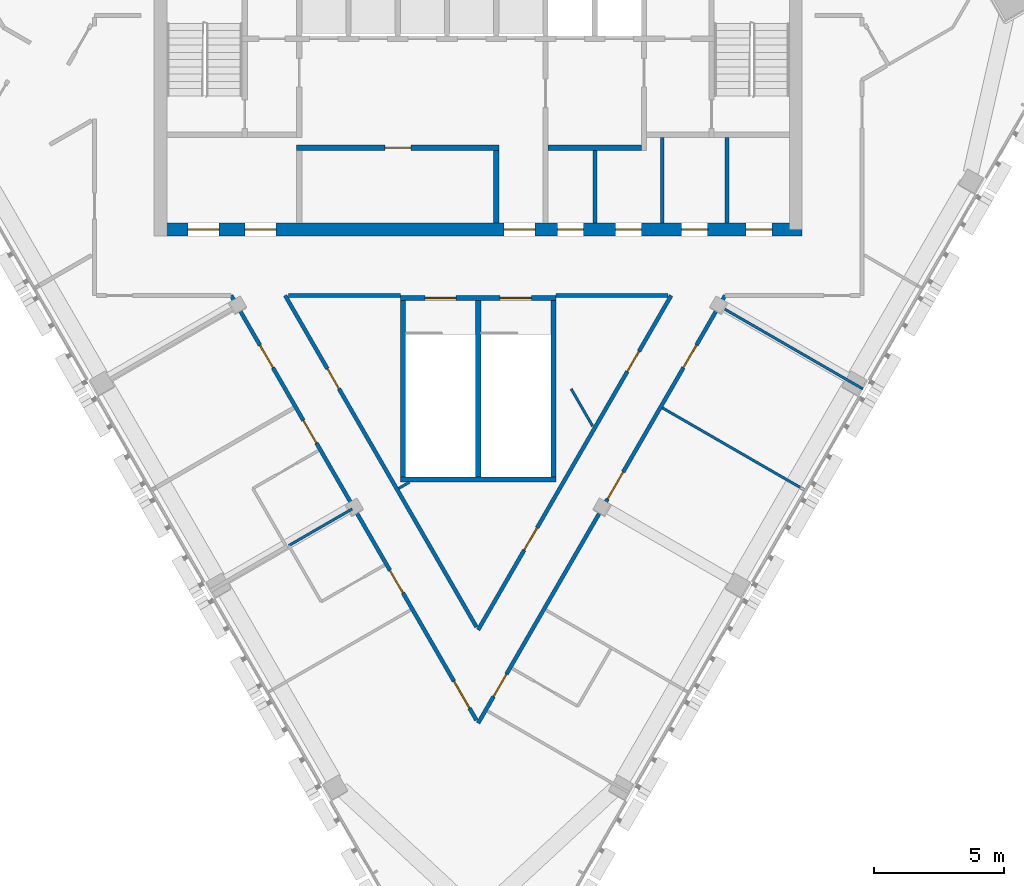
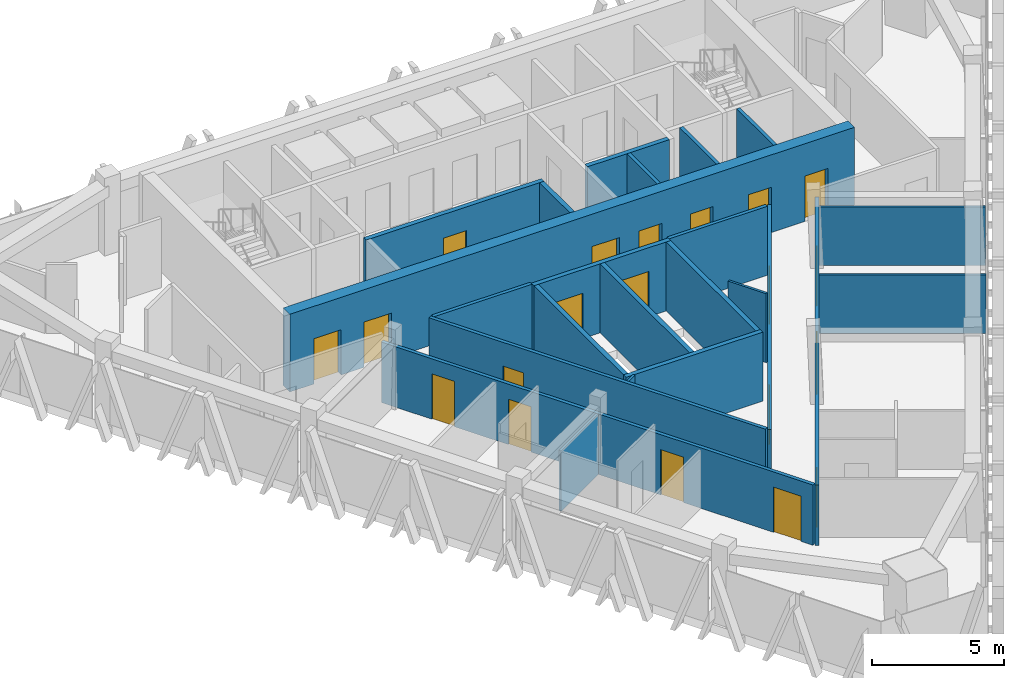
# One storey, part 8 of 12: 23 walls, 20 doors, 20 openings.
"""IFC4 building model written with IfcOpenShell, lengths in metres."""

from ifc_helpers import new_model, si_unit, direction, frame, frame_2d, origin, place, context, subcontext, project, spatial, rectangle, extrude, material, layer, layer_set, type_object, element, fill, save


model = new_model("IFC4")

# Units and contexts
model_context = context("Model", 3, precision=1e-05, world=origin(), true_north=direction((0.0, 1.0)))
body_context = subcontext(model_context, "Body", "Model", "MODEL_VIEW")
ifc_project = project(units=[si_unit("LENGTHUNIT", "METRE"), si_unit("AREAUNIT", "SQUARE_METRE"), si_unit("VOLUMEUNIT", "CUBIC_METRE"), si_unit("PLANEANGLEUNIT", "RADIAN"), si_unit("MASSUNIT", "GRAM", prefix="KILO")], contexts=[model_context])

# Site, building, storey
site_placement = place(None, origin())
site = spatial("IfcSite", under=ifc_project, at=site_placement, CompositionType="ELEMENT")
building_placement = place(site_placement, origin())
building = spatial("IfcBuilding", under=site, at=building_placement, Name="Altiplano Prism Tower", CompositionType="ELEMENT")
storey_placement = place(building_placement, frame((0.0, 0.0, 275.199951171875)))
storey = spatial("IfcBuildingStorey", under=building, at=storey_placement, Name="L71", CompositionType="ELEMENT", Elevation=275.199951171875)

# Wall, openings, doors
ifc_material_1 = material(Name="Concrete C60/75", Category="concrete")
ifc_layer_1 = layer(ifc_material_1, 0.5)
ifc_layer_set_1 = layer_set([ifc_layer_1], Name="Concrete C60/75")
wall_type_1 = type_object("IfcWallType", Name="Core wall 500", PredefinedType="SHEAR", material=ifc_layer_set_1)
wall_1_placement = place(storey_placement, frame((72.75, 93.14990234375, 0.0), z_axis=(0.0, 0.0, 1.0), x_axis=(1.0, 0.0, 0.0)))
wall_1 = element("IfcWall", 1, at=wall_1_placement, inside=storey, type_object=wall_type_1, Name="Core wall S L71", PredefinedType="SHEAR", context=body_context, shape_type="SweptSolid", body=[
    extrude(rectangle(XDim=24.75, YDim=0.5, at=frame_2d((12.375, 0.0))), origin(), (0.0, 0.0, 1.0), 3.60009765625),
])
opening_1_placement = place(wall_1_placement, frame((1.050048828125, 0.0, 0.0)))
opening_1 = element("IfcOpeningElement", 2, at=opening_1_placement, cuts=wall_1, Name="Opening D3582", PredefinedType="OPENING", context=body_context, shape_type="SweptSolid", body=[
    extrude(rectangle(XDim=1.199951171875, YDim=2.10009765625, at=frame_2d((0.60009765625, 1.050048828125))), frame((0.0, 0.260498046875, 0.0), z_axis=(0.0, -1.0, 0.0), x_axis=(1.0, 0.0, 0.0)), (0.0, 0.0, 1.0), 0.52099609375),
])
opening_2_placement = place(wall_1_placement, frame((3.25, 0.0, 0.0)))
opening_2 = element("IfcOpeningElement", 3, at=opening_2_placement, cuts=wall_1, Name="Opening D3583", PredefinedType="OPENING", context=body_context, shape_type="SweptSolid", body=[
    extrude(rectangle(XDim=1.199951171875, YDim=2.10009765625, at=frame_2d((0.60009765625, 1.050048828125))), frame((0.0, 0.260498046875, 0.0), z_axis=(0.0, -1.0, 0.0), x_axis=(1.0, 0.0, 0.0)), (0.0, 0.0, 1.0), 0.52099609375),
])
opening_3_placement = place(wall_1_placement, frame((13.25, 0.0, 0.0)))
opening_3 = element("IfcOpeningElement", 4, at=opening_3_placement, cuts=wall_1, Name="Opening D3584", PredefinedType="OPENING", context=body_context, shape_type="SweptSolid", body=[
    extrude(rectangle(XDim=1.199951171875, YDim=2.10009765625, at=frame_2d((0.60009765625, 1.050048828125))), frame((0.0, 0.260498046875, 0.0), z_axis=(0.0, -1.0, 0.0), x_axis=(1.0, 0.0, 0.0)), (0.0, 0.0, 1.0), 0.52099609375),
])
opening_4_placement = place(wall_1_placement, frame((15.3125, 0.0, 0.0)))
opening_4 = element("IfcOpeningElement", 5, at=opening_4_placement, cuts=wall_1, Name="Opening D3587", PredefinedType="OPENING", context=body_context, shape_type="SweptSolid", body=[
    extrude(rectangle(XDim=1.0, YDim=2.10009765625, at=frame_2d((0.5, 1.050048828125))), frame((0.0, 0.260498046875, 0.0), z_axis=(0.0, -1.0, 0.0), x_axis=(1.0, 0.0, 0.0)), (0.0, 0.0, 1.0), 0.52099609375),
])
opening_5_placement = place(wall_1_placement, frame((17.550048828125, 0.0, 0.0)))
opening_5 = element("IfcOpeningElement", 6, at=opening_5_placement, cuts=wall_1, Name="Opening D3588", PredefinedType="OPENING", context=body_context, shape_type="SweptSolid", body=[
    extrude(rectangle(XDim=1.0, YDim=2.10009765625, at=frame_2d((0.5, 1.050048828125))), frame((0.0, 0.260498046875, 0.0), z_axis=(0.0, -1.0, 0.0), x_axis=(1.0, 0.0, 0.0)), (0.0, 0.0, 1.0), 0.52099609375),
])
opening_6_placement = place(wall_1_placement, frame((20.10009765625, 0.0, 0.0)))
opening_6 = element("IfcOpeningElement", 7, at=opening_6_placement, cuts=wall_1, Name="Opening D3589", PredefinedType="OPENING", context=body_context, shape_type="SweptSolid", body=[
    extrude(rectangle(XDim=1.0, YDim=2.10009765625, at=frame_2d((0.5, 1.050048828125))), frame((0.0, 0.260498046875, 0.0), z_axis=(0.0, -1.0, 0.0), x_axis=(1.0, 0.0, 0.0)), (0.0, 0.0, 1.0), 0.52099609375),
])
opening_7_placement = place(wall_1_placement, frame((22.58740234375, 0.0, 0.0)))
opening_7 = element("IfcOpeningElement", 8, at=opening_7_placement, cuts=wall_1, Name="Opening D3590", PredefinedType="OPENING", context=body_context, shape_type="SweptSolid", body=[
    extrude(rectangle(XDim=1.0, YDim=2.10009765625, at=frame_2d((0.5, 1.050048828125))), frame((0.0, 0.260498046875, 0.0), z_axis=(0.0, -1.0, 0.0), x_axis=(1.0, 0.0, 0.0)), (0.0, 0.0, 1.0), 0.52099609375),
])
ifc_material_2 = material(Name="Fire-rated steel door", Category="steel")
door_type_1 = type_object("IfcDoorType", Name="Core room door 1000 x 2100", OperationType="NOTDEFINED", PredefinedType="NOTDEFINED", material=ifc_material_2)
door_1_placement = place(opening_4_placement, origin())
door_1 = element("IfcDoor", 9, at=door_1_placement, inside=storey, type_object=door_type_1, Name="Core room door D3587", OperationType="SINGLE_SWING_RIGHT", OverallHeight=2.10009765625, OverallWidth=1.0, PredefinedType="NOTDEFINED", context=body_context, shape_type="SweptSolid", body=[
    extrude(rectangle(XDim=1.0, YDim=2.10009765625, at=frame_2d((0.5, 1.050048828125))), frame((0.0, 0.02490234375, 0.0), z_axis=(0.0, -1.0, 0.0), x_axis=(1.0, 0.0, 0.0)), (0.0, 0.0, 1.0), 0.050048828125),
])
fill(opening_4, door_1)
door_2_placement = place(opening_5_placement, origin())
door_2 = element("IfcDoor", 10, at=door_2_placement, inside=storey, type_object=door_type_1, Name="Core room door D3588", OperationType="SINGLE_SWING_LEFT", OverallHeight=2.10009765625, OverallWidth=1.0, PredefinedType="NOTDEFINED", context=body_context, shape_type="SweptSolid", body=[
    extrude(rectangle(XDim=1.0, YDim=2.10009765625, at=frame_2d((0.5, 1.050048828125))), frame((0.0, 0.02490234375, 0.0), z_axis=(0.0, -1.0, 0.0), x_axis=(1.0, 0.0, 0.0)), (0.0, 0.0, 1.0), 0.050048828125),
])
fill(opening_5, door_2)
door_3_placement = place(opening_6_placement, origin())
door_3 = element("IfcDoor", 11, at=door_3_placement, inside=storey, type_object=door_type_1, Name="Core room door D3589", OperationType="SINGLE_SWING_RIGHT", OverallHeight=2.10009765625, OverallWidth=1.0, PredefinedType="NOTDEFINED", context=body_context, shape_type="SweptSolid", body=[
    extrude(rectangle(XDim=1.0, YDim=2.10009765625, at=frame_2d((0.5, 1.050048828125))), frame((0.0, 0.02490234375, 0.0), z_axis=(0.0, -1.0, 0.0), x_axis=(1.0, 0.0, 0.0)), (0.0, 0.0, 1.0), 0.050048828125),
])
fill(opening_6, door_3)
door_4_placement = place(opening_7_placement, origin())
door_4 = element("IfcDoor", 12, at=door_4_placement, inside=storey, type_object=door_type_1, Name="Core room door D3590", OperationType="SINGLE_SWING_LEFT", OverallHeight=2.10009765625, OverallWidth=1.0, PredefinedType="NOTDEFINED", context=body_context, shape_type="SweptSolid", body=[
    extrude(rectangle(XDim=1.0, YDim=2.10009765625, at=frame_2d((0.5, 1.050048828125))), frame((0.0, 0.02490234375, 0.0), z_axis=(0.0, -1.0, 0.0), x_axis=(1.0, 0.0, 0.0)), (0.0, 0.0, 1.0), 0.050048828125),
])
fill(opening_7, door_4)
door_type_2 = type_object("IfcDoorType", Name="Lobby fire door 1200 x 2100", OperationType="NOTDEFINED", PredefinedType="NOTDEFINED", material=ifc_material_2)
door_5_placement = place(opening_1_placement, origin())
door_5 = element("IfcDoor", 13, at=door_5_placement, inside=storey, type_object=door_type_2, Name="Lobby fire door D3582", OperationType="SINGLE_SWING_RIGHT", OverallHeight=2.10009765625, OverallWidth=1.199951171875, PredefinedType="NOTDEFINED", context=body_context, shape_type="SweptSolid", body=[
    extrude(rectangle(XDim=1.199951171875, YDim=2.10009765625, at=frame_2d((0.60009765625, 1.050048828125))), frame((0.0, 0.02490234375, 0.0), z_axis=(0.0, -1.0, 0.0), x_axis=(1.0, 0.0, 0.0)), (0.0, 0.0, 1.0), 0.050048828125),
])
fill(opening_1, door_5)
door_6_placement = place(opening_2_placement, origin())
door_6 = element("IfcDoor", 14, at=door_6_placement, inside=storey, type_object=door_type_2, Name="Lobby fire door D3583", OperationType="SINGLE_SWING_LEFT", OverallHeight=2.10009765625, OverallWidth=1.199951171875, PredefinedType="NOTDEFINED", context=body_context, shape_type="SweptSolid", body=[
    extrude(rectangle(XDim=1.199951171875, YDim=2.10009765625, at=frame_2d((0.60009765625, 1.050048828125))), frame((0.0, 0.02490234375, 0.0), z_axis=(0.0, -1.0, 0.0), x_axis=(1.0, 0.0, 0.0)), (0.0, 0.0, 1.0), 0.050048828125),
])
fill(opening_2, door_6)
door_7_placement = place(opening_3_placement, origin())
door_7 = element("IfcDoor", 15, at=door_7_placement, inside=storey, type_object=door_type_2, Name="Lobby fire door D3584", OperationType="SINGLE_SWING_RIGHT", OverallHeight=2.10009765625, OverallWidth=1.199951171875, PredefinedType="NOTDEFINED", context=body_context, shape_type="SweptSolid", body=[
    extrude(rectangle(XDim=1.199951171875, YDim=2.10009765625, at=frame_2d((0.60009765625, 1.050048828125))), frame((0.0, 0.02490234375, 0.0), z_axis=(0.0, -1.0, 0.0), x_axis=(1.0, 0.0, 0.0)), (0.0, 0.0, 1.0), 0.050048828125),
])
fill(opening_3, door_7)

# Walls
ifc_material_3 = material(Name="Plasterboard on steel stud", Category="steel")
ifc_layer_2 = layer(ifc_material_3, 0.10009765625)
ifc_layer_set_2 = layer_set([ifc_layer_2], Name="Plasterboard on steel stud")
wall_type_2 = type_object("IfcWallType", Name="Partition 100 wet", PredefinedType="PARTITIONING", material=ifc_layer_set_2)
wall_2_placement = place(storey_placement, frame((88.586181640625, 86.999267578125, 0.0), z_axis=(0.0, 0.0, 1.0), x_axis=(0.500018619731, -0.866014653411, 0.0)))
element("IfcWall", 16, at=wall_2_placement, inside=storey, type_object=wall_type_2, Name="Partition P03 L71 020", PredefinedType="PARTITIONING", context=body_context, shape_type="SweptSolid", body=[
    extrude(rectangle(XDim=1.6650390625, YDim=0.10009765625, at=frame_2d((0.83251953125, 0.0))), origin(), (0.0, 0.0, 1.0), 3.199951171875),
])
wall_3_placement = place(storey_placement, frame((81.9365234375, 83.16015625, 0.0), z_axis=(0.0, 0.0, 1.0), x_axis=(0.866168640637, 0.499751824386, 0.0)))
element("IfcWall", 17, at=wall_3_placement, inside=storey, type_object=wall_type_2, Name="Partition P03 L71 021", PredefinedType="PARTITIONING", context=body_context, shape_type="SweptSolid", body=[
    extrude(rectangle(XDim=0.479736328125, YDim=0.10009765625, at=frame_2d((0.23974609375, 0.0))), origin(), (0.0, 0.0, 1.0), 3.199951171875),
])
wall_4_placement = place(storey_placement, frame((77.696044921875, 80.954833984375, 0.0), z_axis=(0.0, 0.0, 1.0), x_axis=(0.866011447264, 0.500024172624, 0.0)))
element("IfcWall", 18, at=wall_4_placement, inside=storey, type_object=wall_type_2, Name="Partition P03 L71 030", PredefinedType="PARTITIONING", context=body_context, shape_type="SweptSolid", body=[
    extrude(rectangle(XDim=2.824951171875, YDim=0.10009765625, at=frame_2d((1.41259765625, 0.0))), origin(), (0.0, 0.0, 1.0), 2.800048828125),
])
wall_5_placement = place(storey_placement, frame((97.6025390625, 83.091796875, 0.0), z_axis=(0.0, 0.0, 1.0), x_axis=(-0.866025401434, 0.500000004071, 0.0)))
element("IfcWall", 19, at=wall_5_placement, inside=storey, type_object=wall_type_2, Name="Partition P03 L71 038", PredefinedType="PARTITIONING", context=body_context, shape_type="SweptSolid", body=[
    extrude(rectangle(XDim=6.34521484375, YDim=0.10009765625, at=frame_2d((3.172607421875, 0.0))), origin(), (0.0, 0.0, 1.0), 2.699951171875),
])
wall_6_placement = place(storey_placement, frame((99.835205078125, 86.9990234375, 0.0), z_axis=(0.0, 0.0, 1.0), x_axis=(-0.866025537322, 0.499999768706, 0.0)))
element("IfcWall", 20, at=wall_6_placement, inside=storey, type_object=wall_type_2, Name="Partition P03 L71 039", PredefinedType="PARTITIONING", context=body_context, shape_type="SweptSolid", body=[
    extrude(rectangle(XDim=6.3251953125, YDim=0.10009765625, at=frame_2d((3.16259765625, 0.0))), origin(), (0.0, 0.0, 1.0), 2.699951171875),
])
ifc_layer_3 = layer(ifc_material_3, 0.14990234375)
ifc_layer_set_3 = layer_set([ifc_layer_3], Name="Plasterboard on steel stud")
wall_type_3 = type_object("IfcWallType", Name="Partition 150 corridor", PredefinedType="PARTITIONING", material=ifc_layer_set_3)
wall_7_placement = place(storey_placement, frame((88.0, 90.59912109375, 0.0), z_axis=(0.0, 0.0, 1.0), x_axis=(0.999999985599, 0.000169712053, 0.0)))
element("IfcWall", 21, at=wall_7_placement, inside=storey, type_object=wall_type_3, Name="Partition P06 L71 001", PredefinedType="PARTITIONING", context=body_context, shape_type="SweptSolid", body=[
    extrude(rectangle(XDim=4.315673828125, YDim=0.14990234375, at=frame_2d((2.15771484375, 0.0))), origin(), (0.0, 0.0, 1.0), 3.199951171875),
])

# Wall, opening, door
wall_8_placement = place(storey_placement, frame((84.93505859375, 77.81640625, 0.0), z_axis=(0.0, 0.0, 1.0), x_axis=(-0.499997335587, 0.866026942079, 0.0)))
wall_8 = element("IfcWall", 22, at=wall_8_placement, inside=storey, type_object=wall_type_3, Name="Partition P06 L71 002", PredefinedType="PARTITIONING", context=body_context, shape_type="SweptSolid", body=[
    extrude(rectangle(XDim=14.76123046875, YDim=0.14990234375, at=frame_2d((7.380615234375, 0.0))), origin(), (0.0, 0.0, 1.0), 3.199951171875),
])
opening_8_placement = place(wall_8_placement, frame((10.60205078125, 0.0, 0.0)))
opening_8 = element("IfcOpeningElement", 23, at=opening_8_placement, cuts=wall_8, Name="Opening D2228", PredefinedType="OPENING", context=body_context, shape_type="SweptSolid", body=[
    extrude(rectangle(XDim=0.89990234375, YDim=2.10009765625, at=frame_2d((0.449951171875, 1.050048828125))), frame((0.0, 0.08544921875, 0.0), z_axis=(0.0, -1.0, 0.0), x_axis=(1.0, 0.0, 0.0)), (0.0, 0.0, 1.0), 0.1708984375),
])
ifc_material_4 = material(Name="Timber", Category="wood")
door_type_3 = type_object("IfcDoorType", Name="Toilet door 900 x 2100", OperationType="NOTDEFINED", PredefinedType="NOTDEFINED", material=ifc_material_4)
door_8_placement = place(opening_8_placement, origin())
door_8 = element("IfcDoor", 24, at=door_8_placement, inside=storey, type_object=door_type_3, Name="Door D2228", OperationType="SINGLE_SWING_RIGHT", OverallHeight=2.10009765625, OverallWidth=0.89990234375, PredefinedType="NOTDEFINED", context=body_context, shape_type="SweptSolid", body=[
    extrude(rectangle(XDim=0.89990234375, YDim=2.10009765625, at=frame_2d((0.449951171875, 1.050048828125))), frame((0.0, 0.02490234375, 0.0), z_axis=(0.0, -1.0, 0.0), x_axis=(1.0, 0.0, 0.0)), (0.0, 0.0, 1.0), 0.050048828125),
])
fill(opening_8, door_8)

# Wall
wall_9_placement = place(storey_placement, frame((77.684326171875, 90.599853515625, 0.0), z_axis=(0.0, 0.0, 1.0), x_axis=(0.999999985599, -0.000169712053, 0.0)))
element("IfcWall", 25, at=wall_9_placement, inside=storey, type_object=wall_type_3, Name="Partition P06 L71 003", PredefinedType="PARTITIONING", context=body_context, shape_type="SweptSolid", body=[
    extrude(rectangle(XDim=4.315673828125, YDim=0.14990234375, at=frame_2d((2.15771484375, 0.0))), origin(), (0.0, 0.0, 1.0), 3.199951171875),
])

# Wall, openings, doors
wall_10_placement = place(storey_placement, frame((92.445556640625, 90.60009765625, 0.0), z_axis=(0.0, 0.0, 1.0), x_axis=(-0.499995410206, -0.866028053687, 0.0)))
wall_10 = element("IfcWall", 26, at=wall_10_placement, inside=storey, type_object=wall_type_3, Name="Partition P06 L71 004", PredefinedType="PARTITIONING", context=body_context, shape_type="SweptSolid", body=[
    extrude(rectangle(XDim=14.891357421875, YDim=0.14990234375, at=frame_2d((7.44580078125, 0.0))), origin(), (0.0, 0.0, 1.0), 3.199951171875),
])
opening_9_placement = place(wall_10_placement, frame((2.48291015625, 0.0, 0.0)))
opening_9 = element("IfcOpeningElement", 27, at=opening_9_placement, cuts=wall_10, Name="Opening D2227", PredefinedType="OPENING", context=body_context, shape_type="SweptSolid", body=[
    extrude(rectangle(XDim=0.89990234375, YDim=2.10009765625, at=frame_2d((0.449951171875, 1.050048828125))), frame((0.0, 0.08544921875, 0.0), z_axis=(0.0, -1.0, 0.0), x_axis=(1.0, 0.0, 0.0)), (0.0, 0.0, 1.0), 0.1708984375),
])
opening_10_placement = place(wall_10_placement, frame((10.342041015625, 0.0, 0.0)))
opening_10 = element("IfcOpeningElement", 28, at=opening_10_placement, cuts=wall_10, Name="Opening D2229", PredefinedType="OPENING", context=body_context, shape_type="SweptSolid", body=[
    extrude(rectangle(XDim=1.0, YDim=2.10009765625, at=frame_2d((0.5, 1.050048828125))), frame((0.0, 0.08544921875, 0.0), z_axis=(0.0, -1.0, 0.0), x_axis=(1.0, 0.0, 0.0)), (0.0, 0.0, 1.0), 0.1708984375),
])
door_type_4 = type_object("IfcDoorType", Name="Store door 1000 x 2100", OperationType="NOTDEFINED", PredefinedType="NOTDEFINED", material=ifc_material_4)
door_9_placement = place(opening_10_placement, origin())
door_9 = element("IfcDoor", 29, at=door_9_placement, inside=storey, type_object=door_type_4, Name="Door D2229", OperationType="SINGLE_SWING_RIGHT", OverallHeight=2.10009765625, OverallWidth=1.0, PredefinedType="NOTDEFINED", context=body_context, shape_type="SweptSolid", body=[
    extrude(rectangle(XDim=1.0, YDim=2.10009765625, at=frame_2d((0.5, 1.050048828125))), frame((0.0, 0.02490234375, 0.0), z_axis=(0.0, -1.0, 0.0), x_axis=(1.0, 0.0, 0.0)), (0.0, 0.0, 1.0), 0.050048828125),
])
fill(opening_10, door_9)
door_10_placement = place(opening_9_placement, origin())
door_10 = element("IfcDoor", 30, at=door_10_placement, inside=storey, type_object=door_type_3, Name="Door D2227", OperationType="SINGLE_SWING_LEFT", OverallHeight=2.10009765625, OverallWidth=0.89990234375, PredefinedType="NOTDEFINED", context=body_context, shape_type="SweptSolid", body=[
    extrude(rectangle(XDim=0.89990234375, YDim=2.10009765625, at=frame_2d((0.449951171875, 1.050048828125))), frame((0.0, 0.02490234375, 0.0), z_axis=(0.0, -1.0, 0.0), x_axis=(1.0, 0.0, 0.0)), (0.0, 0.0, 1.0), 0.050048828125),
])
fill(opening_9, door_10)

wall_11_placement = place(storey_placement, frame((75.47607421875, 90.60009765625, 0.0), z_axis=(0.0, 0.0, 1.0), x_axis=(0.499997633373, -0.866026770153, 0.0)))
wall_11 = element("IfcWall", 31, at=wall_11_placement, inside=storey, type_object=wall_type_3, Name="Partition P06 L71 009", PredefinedType="PARTITIONING", context=body_context, shape_type="SweptSolid", body=[
    extrude(rectangle(XDim=18.91796875, YDim=0.14990234375, at=frame_2d((9.458984375, 0.0))), origin(), (0.0, 0.0, 1.0), 2.800048828125),
])
opening_11_placement = place(wall_11_placement, frame((2.212890625, 0.0, 0.0)))
opening_11 = element("IfcOpeningElement", 32, at=opening_11_placement, cuts=wall_11, Name="Opening D2233", PredefinedType="OPENING", context=body_context, shape_type="SweptSolid", body=[
    extrude(rectangle(XDim=1.0, YDim=2.10009765625, at=frame_2d((0.5, 1.050048828125))), frame((0.0, 0.08544921875, 0.0), z_axis=(0.0, -1.0, 0.0), x_axis=(1.0, 0.0, 0.0)), (0.0, 0.0, 1.0), 0.1708984375),
])
opening_12_placement = place(wall_11_placement, frame((5.56689453125, 0.0, 0.0)))
opening_12 = element("IfcOpeningElement", 33, at=opening_12_placement, cuts=wall_11, Name="Opening D2234", PredefinedType="OPENING", context=body_context, shape_type="SweptSolid", body=[
    extrude(rectangle(XDim=1.0, YDim=2.10009765625, at=frame_2d((0.5, 1.050048828125))), frame((0.0, 0.08544921875, 0.0), z_axis=(0.0, -1.0, 0.0), x_axis=(1.0, 0.0, 0.0)), (0.0, 0.0, 1.0), 0.1708984375),
])
opening_13_placement = place(wall_11_placement, frame((12.241943359375, 0.0, 0.0)))
opening_13 = element("IfcOpeningElement", 34, at=opening_13_placement, cuts=wall_11, Name="Opening D2236", PredefinedType="OPENING", context=body_context, shape_type="SweptSolid", body=[
    extrude(rectangle(XDim=1.0, YDim=2.10009765625, at=frame_2d((0.5, 1.050048828125))), frame((0.0, 0.08544921875, 0.0), z_axis=(0.0, -1.0, 0.0), x_axis=(1.0, 0.0, 0.0)), (0.0, 0.0, 1.0), 0.1708984375),
])
opening_14_placement = place(wall_11_placement, frame((17.18310546875, 0.0, 0.0)))
opening_14 = element("IfcOpeningElement", 35, at=opening_14_placement, cuts=wall_11, Name="Opening D2238", PredefinedType="OPENING", context=body_context, shape_type="SweptSolid", body=[
    extrude(rectangle(XDim=1.199951171875, YDim=2.10009765625, at=frame_2d((0.60009765625, 1.050048828125))), frame((0.0, 0.08544921875, 0.0), z_axis=(0.0, -1.0, 0.0), x_axis=(1.0, 0.0, 0.0)), (0.0, 0.0, 1.0), 0.1708984375),
])
door_type_5 = type_object("IfcDoorType", Name="Bedroom entrance door 1000 x 2100", OperationType="NOTDEFINED", PredefinedType="NOTDEFINED", material=ifc_material_4)
door_11_placement = place(opening_12_placement, origin())
door_11 = element("IfcDoor", 36, at=door_11_placement, inside=storey, type_object=door_type_5, Name="Door D2234", OperationType="SINGLE_SWING_LEFT", OverallHeight=2.10009765625, OverallWidth=1.0, PredefinedType="NOTDEFINED", context=body_context, shape_type="SweptSolid", body=[
    extrude(rectangle(XDim=1.0, YDim=2.10009765625, at=frame_2d((0.5, 1.050048828125))), frame((0.0, 0.02490234375, 0.0), z_axis=(0.0, -1.0, 0.0), x_axis=(1.0, 0.0, 0.0)), (0.0, 0.0, 1.0), 0.050048828125),
])
fill(opening_12, door_11)
door_12_placement = place(opening_13_placement, origin())
door_12 = element("IfcDoor", 37, at=door_12_placement, inside=storey, type_object=door_type_5, Name="Door D2236", OperationType="SINGLE_SWING_RIGHT", OverallHeight=2.10009765625, OverallWidth=1.0, PredefinedType="NOTDEFINED", context=body_context, shape_type="SweptSolid", body=[
    extrude(rectangle(XDim=1.0, YDim=2.10009765625, at=frame_2d((0.5, 1.050048828125))), frame((0.0, 0.02490234375, 0.0), z_axis=(0.0, -1.0, 0.0), x_axis=(1.0, 0.0, 0.0)), (0.0, 0.0, 1.0), 0.050048828125),
])
fill(opening_13, door_12)
door_type_6 = type_object("IfcDoorType", Name="Room door 1000 x 2100", OperationType="NOTDEFINED", PredefinedType="NOTDEFINED", material=ifc_material_4)
door_13_placement = place(opening_11_placement, origin())
door_13 = element("IfcDoor", 38, at=door_13_placement, inside=storey, type_object=door_type_6, Name="Door D2233", OperationType="SINGLE_SWING_RIGHT", OverallHeight=2.10009765625, OverallWidth=1.0, PredefinedType="NOTDEFINED", context=body_context, shape_type="SweptSolid", body=[
    extrude(rectangle(XDim=1.0, YDim=2.10009765625, at=frame_2d((0.5, 1.050048828125))), frame((0.0, 0.02490234375, 0.0), z_axis=(0.0, -1.0, 0.0), x_axis=(1.0, 0.0, 0.0)), (0.0, 0.0, 1.0), 0.050048828125),
])
fill(opening_11, door_13)
door_type_7 = type_object("IfcDoorType", Name="Shared room door 1200 x 2100", OperationType="NOTDEFINED", PredefinedType="NOTDEFINED", material=ifc_material_4)
door_14_placement = place(opening_14_placement, origin())
door_14 = element("IfcDoor", 39, at=door_14_placement, inside=storey, type_object=door_type_7, Name="Door D2238", OperationType="SINGLE_SWING_LEFT", OverallHeight=2.10009765625, OverallWidth=1.199951171875, PredefinedType="NOTDEFINED", context=body_context, shape_type="SweptSolid", body=[
    extrude(rectangle(XDim=1.199951171875, YDim=2.10009765625, at=frame_2d((0.60009765625, 1.050048828125))), frame((0.0, 0.02490234375, 0.0), z_axis=(0.0, -1.0, 0.0), x_axis=(1.0, 0.0, 0.0)), (0.0, 0.0, 1.0), 0.050048828125),
])
fill(opening_14, door_14)

wall_12_placement = place(storey_placement, frame((85.0, 74.10400390625, 0.0), z_axis=(0.0, 0.0, 1.0), x_axis=(0.499996126128, 0.866027640354, 0.0)))
wall_12 = element("IfcWall", 40, at=wall_12_placement, inside=storey, type_object=wall_type_3, Name="Partition P06 L71 010", PredefinedType="PARTITIONING", context=body_context, shape_type="SweptSolid", body=[
    extrude(rectangle(XDim=19.048095703125, YDim=0.14990234375, at=frame_2d((9.52392578125, 0.0))), origin(), (0.0, 0.0, 1.0), 2.800048828125),
])
opening_15_placement = place(wall_12_placement, frame((1.18994140625, 0.0, 0.0)))
opening_15 = element("IfcOpeningElement", 41, at=opening_15_placement, cuts=wall_12, Name="Opening D2239", PredefinedType="OPENING", context=body_context, shape_type="SweptSolid", body=[
    extrude(rectangle(XDim=1.0, YDim=2.10009765625, at=frame_2d((0.5, 1.050048828125))), frame((0.0, 0.08544921875, 0.0), z_axis=(0.0, -1.0, 0.0), x_axis=(1.0, 0.0, 0.0)), (0.0, 0.0, 1.0), 0.1708984375),
])
opening_16_placement = place(wall_12_placement, frame((9.985107421875, 0.0, 0.0)))
opening_16 = element("IfcOpeningElement", 42, at=opening_16_placement, cuts=wall_12, Name="Opening D2241", PredefinedType="OPENING", context=body_context, shape_type="SweptSolid", body=[
    extrude(rectangle(XDim=1.199951171875, YDim=2.10009765625, at=frame_2d((0.60009765625, 1.050048828125))), frame((0.0, 0.08544921875, 0.0), z_axis=(0.0, -1.0, 0.0), x_axis=(1.0, 0.0, 0.0)), (0.0, 0.0, 1.0), 0.1708984375),
])
opening_17_placement = place(wall_12_placement, frame((15.8349609375, 0.0, 0.0)))
opening_17 = element("IfcOpeningElement", 43, at=opening_17_placement, cuts=wall_12, Name="Opening D2242", PredefinedType="OPENING", context=body_context, shape_type="SweptSolid", body=[
    extrude(rectangle(XDim=1.0, YDim=2.10009765625, at=frame_2d((0.5, 1.050048828125))), frame((0.0, 0.08544921875, 0.0), z_axis=(0.0, -1.0, 0.0), x_axis=(1.0, 0.0, 0.0)), (0.0, 0.0, 1.0), 0.1708984375),
])
door_15_placement = place(opening_15_placement, origin())
door_15 = element("IfcDoor", 44, at=door_15_placement, inside=storey, type_object=door_type_5, Name="Door D2239", OperationType="SINGLE_SWING_RIGHT", OverallHeight=2.10009765625, OverallWidth=1.0, PredefinedType="NOTDEFINED", context=body_context, shape_type="SweptSolid", body=[
    extrude(rectangle(XDim=1.0, YDim=2.10009765625, at=frame_2d((0.5, 1.050048828125))), frame((0.0, 0.02490234375, 0.0), z_axis=(0.0, -1.0, 0.0), x_axis=(1.0, 0.0, 0.0)), (0.0, 0.0, 1.0), 0.050048828125),
])
fill(opening_15, door_15)
door_16_placement = place(opening_17_placement, origin())
door_16 = element("IfcDoor", 45, at=door_16_placement, inside=storey, type_object=door_type_6, Name="Door D2242", OperationType="SINGLE_SWING_LEFT", OverallHeight=2.10009765625, OverallWidth=1.0, PredefinedType="NOTDEFINED", context=body_context, shape_type="SweptSolid", body=[
    extrude(rectangle(XDim=1.0, YDim=2.10009765625, at=frame_2d((0.5, 1.050048828125))), frame((0.0, 0.02490234375, 0.0), z_axis=(0.0, -1.0, 0.0), x_axis=(1.0, 0.0, 0.0)), (0.0, 0.0, 1.0), 0.050048828125),
])
fill(opening_17, door_16)
door_17_placement = place(opening_16_placement, origin())
door_17 = element("IfcDoor", 46, at=door_17_placement, inside=storey, type_object=door_type_7, Name="Door D2241", OperationType="SINGLE_SWING_LEFT", OverallHeight=2.10009765625, OverallWidth=1.199951171875, PredefinedType="NOTDEFINED", context=body_context, shape_type="SweptSolid", body=[
    extrude(rectangle(XDim=1.199951171875, YDim=2.10009765625, at=frame_2d((0.60009765625, 1.050048828125))), frame((0.0, 0.02490234375, 0.0), z_axis=(0.0, -1.0, 0.0), x_axis=(1.0, 0.0, 0.0)), (0.0, 0.0, 1.0), 0.050048828125),
])
fill(opening_16, door_17)

# Walls
ifc_material_5 = material(Name="Fire-rated gypsum board partition")
ifc_layer_4 = layer(ifc_material_5, 0.14990234375)
ifc_layer_set_4 = layer_set([ifc_layer_4], Name="Fire-rated gypsum board partition")
wall_type_4 = type_object("IfcWallType", Name="Room partition 150", PredefinedType="PARTITIONING", material=ifc_layer_set_4)
wall_13_placement = place(storey_placement, frame((89.5, 93.39990234375, 0.0), z_axis=(0.0, 0.0, 1.0), x_axis=(0.0, 1.0, 0.0)))
element("IfcWall", 47, at=wall_13_placement, inside=storey, type_object=wall_type_4, Name="Room partition L71", PredefinedType="PARTITIONING", context=body_context, shape_type="SweptSolid", body=[
    extrude(rectangle(XDim=2.800048828125, YDim=0.14990234375, at=frame_2d((1.39990234375, 0.0))), origin(), (0.0, 0.0, 1.0), 3.199951171875),
])
for number, where, z_axis, x_axis, name in (
    (48, (92.10009765625, 93.39990234375, 0.0), (0.0, 0.0, 1.0), (0.0, 1.0, 0.0), "Room partition L71"),
    (49, (94.60009765625, 93.39990234375, 0.0), (0.0, 0.0, 1.0), (0.0, 1.0, 0.0), "Room partition L71"),
):
    element("IfcWall", number, at=place(storey_placement, frame(where, z_axis=z_axis, x_axis=x_axis)), inside=storey, type_object=wall_type_4, Name=name, PredefinedType="PARTITIONING", context=body_context, shape_type="SweptSolid", body=[
        extrude(rectangle(XDim=3.300048828125, YDim=0.14990234375, at=frame_2d((1.64990234375, 0.0))), origin(), (0.0, 0.0, 1.0), 3.199951171875),
    ])

# Wall, openings, doors
ifc_layer_5 = layer(ifc_material_1, 0.199951171875)
ifc_layer_set_5 = layer_set([ifc_layer_5], Name="Concrete C60/75")
wall_type_5 = type_object("IfcWallType", Name="Stair wall 200", PredefinedType="SOLIDWALL", material=ifc_layer_set_5)
wall_14_placement = place(storey_placement, frame((82.0, 90.5, 0.0), z_axis=(0.0, 0.0, 1.0), x_axis=(1.0, 0.0, 0.0)))
wall_14 = element("IfcWall", 50, at=wall_14_placement, inside=storey, type_object=wall_type_5, Name="Stair 3 wall north L71", PredefinedType="SOLIDWALL", context=body_context, shape_type="SweptSolid", body=[
    extrude(rectangle(XDim=6.0, YDim=0.199951171875, at=frame_2d((3.0, 0.0))), origin(), (0.0, 0.0, 1.0), 3.199951171875),
])
opening_18_placement = place(wall_14_placement, frame((0.949951171875, 0.0, 0.0)))
opening_18 = element("IfcOpeningElement", 51, at=opening_18_placement, cuts=wall_14, Name="Opening D4064", PredefinedType="OPENING", context=body_context, shape_type="SweptSolid", body=[
    extrude(rectangle(XDim=1.199951171875, YDim=2.10009765625, at=frame_2d((0.60009765625, 1.050048828125))), frame((0.0, 0.1103515625, 0.0), z_axis=(0.0, -1.0, 0.0), x_axis=(1.0, 0.0, 0.0)), (0.0, 0.0, 1.0), 0.220947265625),
])
opening_19_placement = place(wall_14_placement, frame((3.85009765625, 0.0, 0.0)))
opening_19 = element("IfcOpeningElement", 52, at=opening_19_placement, cuts=wall_14, Name="Opening D4065", PredefinedType="OPENING", context=body_context, shape_type="SweptSolid", body=[
    extrude(rectangle(XDim=1.199951171875, YDim=2.10009765625, at=frame_2d((0.60009765625, 1.050048828125))), frame((0.0, 0.1103515625, 0.0), z_axis=(0.0, -1.0, 0.0), x_axis=(1.0, 0.0, 0.0)), (0.0, 0.0, 1.0), 0.220947265625),
])
door_type_8 = type_object("IfcDoorType", Name="Stair fire door 1200 x 2100", OperationType="NOTDEFINED", PredefinedType="NOTDEFINED", material=ifc_material_2)
door_18_placement = place(opening_18_placement, origin())
door_18 = element("IfcDoor", 53, at=door_18_placement, inside=storey, type_object=door_type_8, Name="Stair fire door D4064", OperationType="SINGLE_SWING_LEFT", OverallHeight=2.10009765625, OverallWidth=1.199951171875, PredefinedType="NOTDEFINED", context=body_context, shape_type="SweptSolid", body=[
    extrude(rectangle(XDim=1.199951171875, YDim=2.10009765625, at=frame_2d((0.60009765625, 1.050048828125))), frame((0.0, 0.02490234375, 0.0), z_axis=(0.0, -1.0, 0.0), x_axis=(1.0, 0.0, 0.0)), (0.0, 0.0, 1.0), 0.050048828125),
])
fill(opening_18, door_18)
door_19_placement = place(opening_19_placement, origin())
door_19 = element("IfcDoor", 54, at=door_19_placement, inside=storey, type_object=door_type_8, Name="Stair fire door D4065", OperationType="SINGLE_SWING_LEFT", OverallHeight=2.10009765625, OverallWidth=1.199951171875, PredefinedType="NOTDEFINED", context=body_context, shape_type="SweptSolid", body=[
    extrude(rectangle(XDim=1.199951171875, YDim=2.10009765625, at=frame_2d((0.60009765625, 1.050048828125))), frame((0.0, 0.02490234375, 0.0), z_axis=(0.0, -1.0, 0.0), x_axis=(1.0, 0.0, 0.0)), (0.0, 0.0, 1.0), 0.050048828125),
])
fill(opening_19, door_19)

# Walls
wall_15_placement = place(storey_placement, frame((82.0, 83.5, 0.0), z_axis=(0.0, 0.0, 1.0), x_axis=(1.0, 0.0, 0.0)))
element("IfcWall", 55, at=wall_15_placement, inside=storey, type_object=wall_type_5, Name="Stair 3 wall south L71", PredefinedType="SOLIDWALL", context=body_context, shape_type="SweptSolid", body=[
    extrude(rectangle(XDim=6.0, YDim=0.199951171875, at=frame_2d((3.0, 0.0))), origin(), (0.0, 0.0, 1.0), 3.199951171875),
])
for number, where, z_axis, x_axis, name in (
    (56, (82.10009765625, 83.60009765625, 0.0), (0.0, 0.0, 1.0), (0.0, 1.0, 0.0), "Stair 3 wall west L71"),
    (57, (87.89990234375, 83.60009765625, 0.0), (0.0, 0.0, 1.0), (0.0, 1.0, 0.0), "Stair 3 wall east L71"),
    (58, (85.0, 83.60009765625, 0.0), (0.0, 0.0, 1.0), (0.0, 1.0, 0.0), "Stair 3 wall divider L71"),
):
    element("IfcWall", number, at=place(storey_placement, frame(where, z_axis=z_axis, x_axis=x_axis)), inside=storey, type_object=wall_type_5, Name=name, PredefinedType="SOLIDWALL", context=body_context, shape_type="SweptSolid", body=[
        extrude(rectangle(XDim=6.7998046875, YDim=0.199951171875, at=frame_2d((3.39990234375, 0.0))), origin(), (0.0, 0.0, 1.0), 3.199951171875),
    ])
ifc_layer_6 = layer(ifc_material_1, 0.199951171875)
ifc_layer_set_6 = layer_set([ifc_layer_6], Name="Concrete C60/75")
wall_type_6 = type_object("IfcWallType", Name="Vestibule wall 200", PredefinedType="PARTITIONING", material=ifc_layer_set_6)
wall_16_placement = place(storey_placement, frame((85.699951171875, 93.39990234375, 0.0), z_axis=(0.0, 0.0, 1.0), x_axis=(0.0, 1.0, 0.0)))
element("IfcWall", 59, at=wall_16_placement, inside=storey, type_object=wall_type_6, Name="Vestibule wall L71", PredefinedType="PARTITIONING", context=body_context, shape_type="SweptSolid", body=[
    extrude(rectangle(XDim=2.800048828125, YDim=0.199951171875, at=frame_2d((1.39990234375, 0.0))), origin(), (0.0, 0.0, 1.0), 3.199951171875),
])

# Wall, opening, door
wall_17_placement = place(storey_placement, frame((78.0, 96.300048828125, 0.0), z_axis=(0.0, 0.0, 1.0), x_axis=(1.0, 0.0, 0.0)))
wall_17 = element("IfcWall", 60, at=wall_17_placement, inside=storey, type_object=wall_type_6, Name="Vestibule wall L71", PredefinedType="PARTITIONING", context=body_context, shape_type="SweptSolid", body=[
    extrude(rectangle(XDim=7.800048828125, YDim=0.199951171875, at=frame_2d((3.89990234375, 0.0))), origin(), (0.0, 0.0, 1.0), 3.199951171875),
])
opening_20_placement = place(wall_17_placement, frame((3.39990234375, 0.0, 0.0)))
opening_20 = element("IfcOpeningElement", 61, at=opening_20_placement, cuts=wall_17, Name="Opening D3591", PredefinedType="OPENING", context=body_context, shape_type="SweptSolid", body=[
    extrude(rectangle(XDim=1.0, YDim=2.10009765625, at=frame_2d((0.5, 1.050048828125))), frame((0.0, 0.1103515625, 0.0), z_axis=(0.0, -1.0, 0.0), x_axis=(1.0, 0.0, 0.0)), (0.0, 0.0, 1.0), 0.220947265625),
])
door_20_placement = place(opening_20_placement, origin())
door_20 = element("IfcDoor", 62, at=door_20_placement, inside=storey, type_object=door_type_1, Name="Core room door D3591", OperationType="SINGLE_SWING_RIGHT", OverallHeight=2.10009765625, OverallWidth=1.0, PredefinedType="NOTDEFINED", context=body_context, shape_type="SweptSolid", body=[
    extrude(rectangle(XDim=1.0, YDim=2.10009765625, at=frame_2d((0.5, 1.050048828125))), frame((0.0, 0.02490234375, 0.0), z_axis=(0.0, -1.0, 0.0), x_axis=(1.0, 0.0, 0.0)), (0.0, 0.0, 1.0), 0.050048828125),
])
fill(opening_20, door_20)

# Wall
wall_18_placement = place(storey_placement, frame((87.699951171875, 96.300048828125, 0.0), z_axis=(0.0, 0.0, 1.0), x_axis=(1.0, 0.0, 0.0)))
element("IfcWall", 63, at=wall_18_placement, inside=storey, type_object=wall_type_6, Name="Vestibule wall L71", PredefinedType="PARTITIONING", context=body_context, shape_type="SweptSolid", body=[
    extrude(rectangle(XDim=3.60009765625, YDim=0.199951171875, at=frame_2d((1.800048828125, 0.0))), origin(), (0.0, 0.0, 1.0), 3.199951171875),
])

save(model, "model.ifc")
